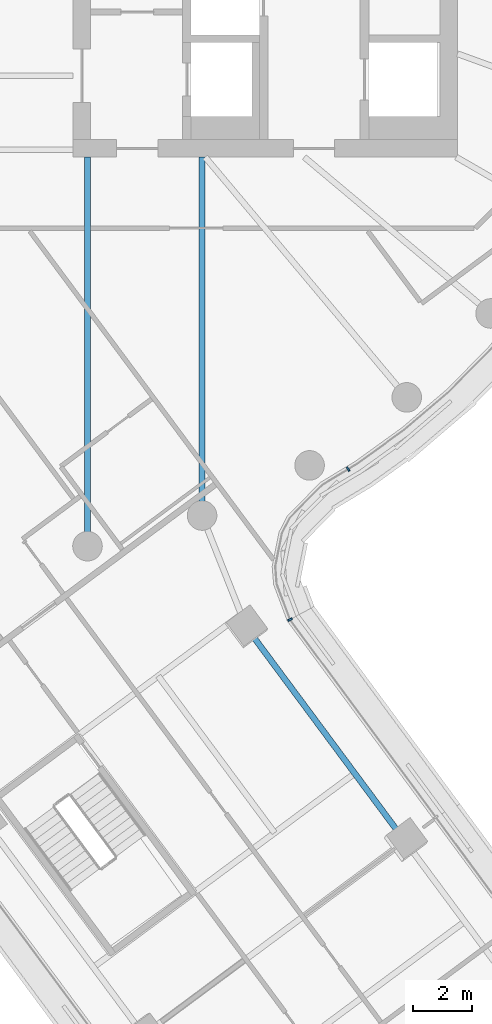
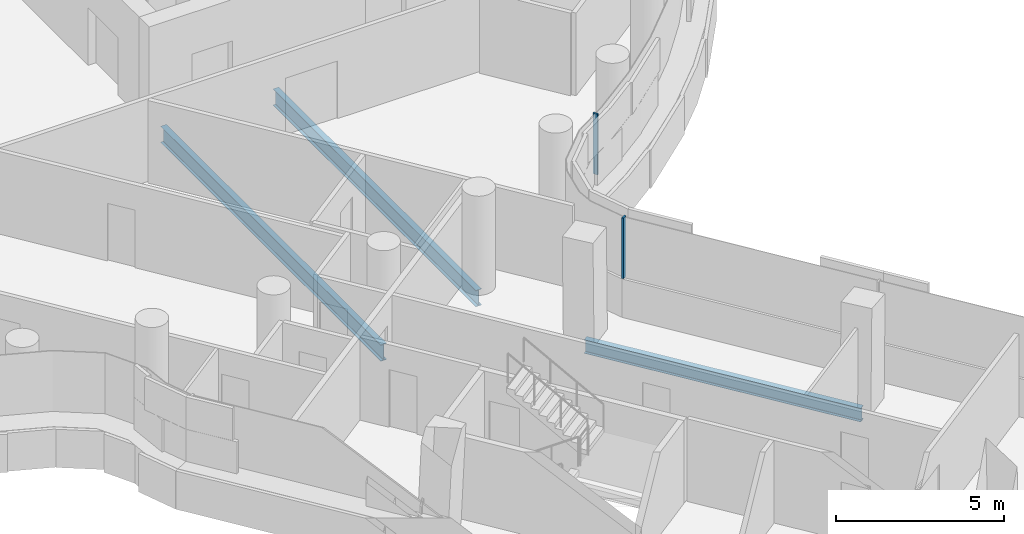
# One storey, part 7 of 32: 3 beams, 2 members, 1 element without a shape of its own.
"""IFC4 building model written with IfcOpenShell, lengths in metres."""

from ifc_helpers import new_model, si_unit, direction, frame, origin, origin_2d, place, context, subcontext, project, spatial, rectangle, i_section, extrude, material, layer, layer_set, material_profile, profile_set, type_object, element, aggregate, save


model = new_model("IFC4")

# Units and contexts
model_context = context("Model", 3, precision=1e-05, world=origin(), true_north=direction((0.0, 1.0)))
body_context = subcontext(model_context, "Body", "Model", "MODEL_VIEW")
ifc_project = project(units=[si_unit("LENGTHUNIT", "METRE"), si_unit("AREAUNIT", "SQUARE_METRE"), si_unit("VOLUMEUNIT", "CUBIC_METRE"), si_unit("PLANEANGLEUNIT", "RADIAN"), si_unit("MASSUNIT", "GRAM", prefix="KILO")], contexts=[model_context])

# Site, building, storey
site_placement = place(None, origin())
site = spatial("IfcSite", under=ifc_project, at=site_placement, CompositionType="ELEMENT")
building_placement = place(site_placement, origin())
building = spatial("IfcBuilding", under=site, at=building_placement, Name="Tamarind Cross Interchange Tower", CompositionType="ELEMENT")
storey_placement = place(building_placement, frame((0.0, 0.0, 166.75)))
storey = spatial("IfcBuildingStorey", under=building, at=storey_placement, Name="L41", CompositionType="ELEMENT", Elevation=166.75)

# Beams
ifc_material_1 = material(Name="Steel Q355B", Category="steel")
ifc_material_profile_1 = material_profile(ifc_material_1, i_section(OverallWidth=0.198974609375, OverallDepth=0.49609375, WebThickness=0.009033203125, FlangeThickness=0.013916015625, FilletRadius=0.012939453125, at=origin_2d()), Name="HN 496x199x9x14")
ifc_profile_set_1 = profile_set([ifc_material_profile_1], Name="Steel Q355B")
beam_type_1 = type_object("IfcBeamType", Name="Composite beam HN 496x199x9x14 Q355B", PredefinedType="BEAM", material=ifc_profile_set_1)
beam_1_placement = place(storey_placement, frame((14.724365234375, -32.61767578125, -0.387939453125), z_axis=(-0.595785969078, 0.803143249396, 0.0), x_axis=(-0.803143249396, -0.595785969078, 0.0)))
element("IfcBeam", 1, at=beam_1_placement, inside=storey, type_object=beam_type_1, Name="Beam S-edgeep3", PredefinedType="BEAM", context=body_context, shape_type="SweptSolid", body=[
    extrude(i_section(OverallWidth=0.198974609375, OverallDepth=0.49609375, WebThickness=0.009033203125, FlangeThickness=0.013916015625, FilletRadius=0.012939453125, at=origin_2d()), origin(), (0.0, 0.0, 1.0), 9.0),
])
ifc_material_profile_2 = material_profile(ifc_material_1, i_section(OverallWidth=0.198974609375, OverallDepth=0.595947265625, WebThickness=0.010009765625, FlangeThickness=0.014892578125, FilletRadius=0.012939453125, at=origin_2d()), Name="HN 596x199x10x15")
ifc_profile_set_2 = profile_set([ifc_material_profile_2], Name="Steel Q355B")
beam_type_2 = type_object("IfcBeamType", Name="Composite beam HN 596x199x10x15 Q355B", PredefinedType="BEAM", material=ifc_profile_set_2)
beam_2_placement = place(storey_placement, frame((3.993896484375, -22.650634765625, -0.43798828125), z_axis=(0.0, 1.0, 0.0), x_axis=(-1.0, 0.0, 0.0)))
element("IfcBeam", 2, at=beam_2_placement, inside=storey, type_object=beam_type_2, Name="Beam HH28", PredefinedType="BEAM", context=body_context, shape_type="SweptSolid", body=[
    extrude(i_section(OverallWidth=0.198974609375, OverallDepth=0.595947265625, WebThickness=0.010009765625, FlangeThickness=0.014892578125, FilletRadius=0.012939453125, at=origin_2d()), origin(), (0.0, 0.0, 1.0), 13.150634765625),
])
beam_3_placement = place(storey_placement, frame((7.866455078125, -21.613037109375, -0.43798828125), z_axis=(0.0, 1.0, 0.0), x_axis=(-1.0, 0.0, 0.0)))
element("IfcBeam", 3, at=beam_3_placement, inside=storey, type_object=beam_type_2, Name="Beam HH29", PredefinedType="BEAM", context=body_context, shape_type="SweptSolid", body=[
    extrude(i_section(OverallWidth=0.198974609375, OverallDepth=0.595947265625, WebThickness=0.010009765625, FlangeThickness=0.014892578125, FilletRadius=0.012939453125, at=origin_2d()), origin(), (0.0, 0.0, 1.0), 12.113037109375),
])

# Curtain wall, members
ifc_material_2 = material(Name="Aluminium 6063-T6", Category="aluminium")
ifc_layer = layer(ifc_material_2, 0.159912109375)
ifc_layer_set = layer_set([ifc_layer], Name="Aluminium 6063-T6")
curtain_wall_type = type_object("IfcCurtainWallType", Name="Office curtain wall, 9.0 m bays", PredefinedType="NOTDEFINED", material=ifc_layer_set)
curtain_wall_placement = place(storey_placement, origin())
curtain_wall = element("IfcCurtainWall", 4, at=curtain_wall_placement, inside=storey, type_object=curtain_wall_type, Name="CWS-L41-14", PredefinedType="NOTDEFINED")
ifc_material_profile_3 = material_profile(ifc_material_2, rectangle(XDim=0.06005859375, YDim=0.159912109375, at=origin_2d()), Name="Mullion CW1")
ifc_profile_set_3 = profile_set([ifc_material_profile_3], Name="Aluminium 6063-T6")
member_type = type_object("IfcMemberType", Name="Mullion CW1", PredefinedType="MULLION", material=ifc_profile_set_3)
member_1_placement = place(storey_placement, frame((10.837158203125, -25.131103515625, 1.39990234375), z_axis=(0.0, 0.0, 1.0), x_axis=(-0.477415051542, 0.878677909453, 0.0)))
member_1 = element("IfcMember", 5, at=member_1_placement, type_object=member_type, Name="CWM-L41-14-00", PredefinedType="MULLION", context=body_context, shape_type="SweptSolid", body=[
    extrude(rectangle(XDim=0.06005859375, YDim=0.159912109375, at=origin_2d()), origin(), (0.0, 0.0, 1.0), 2.210205078125),
])
member_2_placement = place(storey_placement, frame((12.803466796875, -20.04443359375, 1.39990234375), z_axis=(0.0, 0.0, 1.0), x_axis=(0.855795607835, 0.517314099566, 0.0)))
member_2 = element("IfcMember", 6, at=member_2_placement, type_object=member_type, Name="CWM-L41-14-01", PredefinedType="MULLION", context=body_context, shape_type="SweptSolid", body=[
    extrude(rectangle(XDim=0.06005859375, YDim=0.159912109375, at=origin_2d()), origin(), (0.0, 0.0, 1.0), 2.210205078125),
])
aggregate(curtain_wall, [member_1, member_2])

save(model, "model.ifc")
